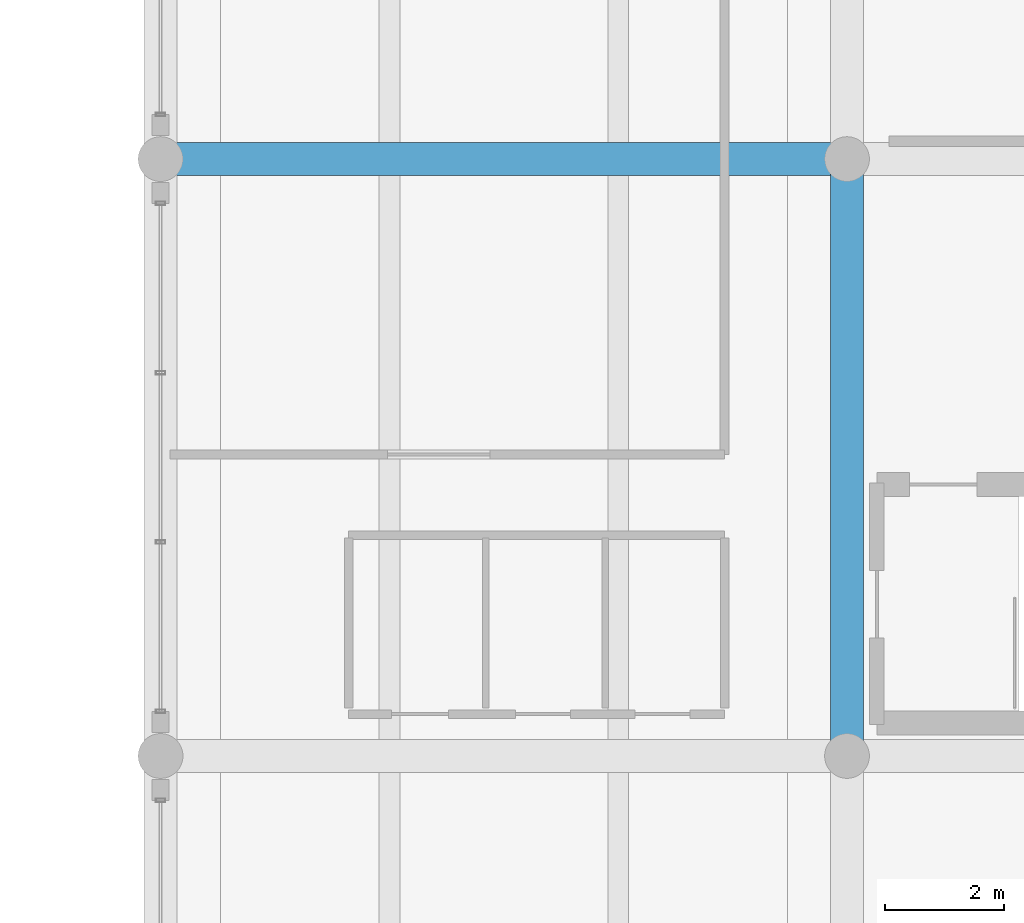
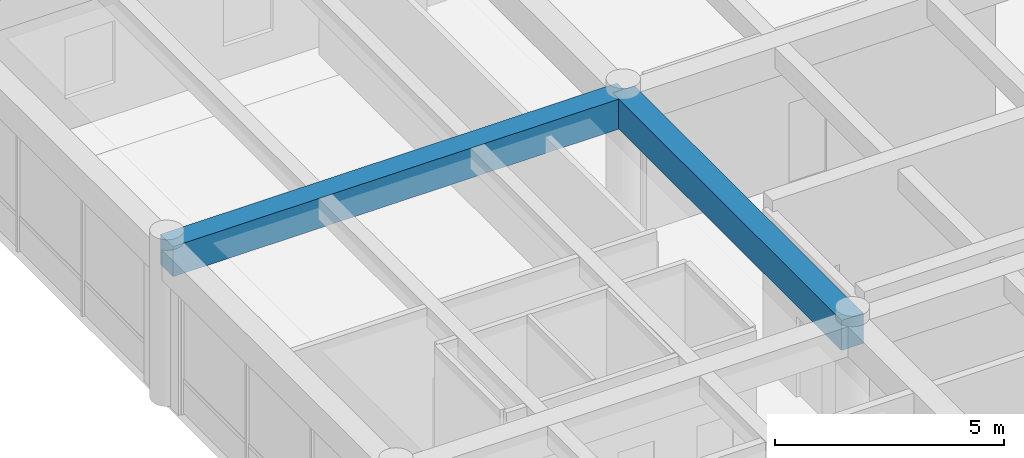
# One storey, part 7 of 27: 2 beams.
"""IFC4 building model written with IfcOpenShell, lengths in metres."""

from ifc_helpers import new_model, si_unit, direction, frame, origin, origin_2d, place, context, subcontext, project, spatial, rectangle, extrude, material, material_profile, profile_set, type_object, element, save


model = new_model("IFC4")

# Units and contexts
model_context = context("Model", 3, precision=1e-05, world=origin(), true_north=direction((0.0, 1.0)))
body_context = subcontext(model_context, "Body", "Model", "MODEL_VIEW")
ifc_project = project(units=[si_unit("LENGTHUNIT", "METRE"), si_unit("AREAUNIT", "SQUARE_METRE"), si_unit("VOLUMEUNIT", "CUBIC_METRE"), si_unit("PLANEANGLEUNIT", "RADIAN"), si_unit("MASSUNIT", "GRAM", prefix="KILO")], contexts=[model_context])

# Site, building, storey
site_placement = place(None, origin())
site = spatial("IfcSite", under=ifc_project, at=site_placement, CompositionType="ELEMENT")
building_placement = place(site_placement, origin())
building = spatial("IfcBuilding", under=site, at=building_placement, Name="Ologun Quay Terminus", CompositionType="ELEMENT")
storey_placement = place(building_placement, frame((0.0, 0.0, 22.4599609375)))
storey = spatial("IfcBuildingStorey", under=building, at=storey_placement, Name="L05", CompositionType="ELEMENT", Elevation=22.4599609375)

# Beams
ifc_material = material(Name="Concrete C40/50", Category="concrete")
ifc_material_profile = material_profile(ifc_material, rectangle(XDim=0.550048828125, YDim=0.800048828125, at=origin_2d()), Name="RC 550x800")
ifc_profile_set = profile_set([ifc_material_profile], Name="Concrete C40/50")
beam_type = type_object("IfcBeamType", Name="Courtyard Wing Primary Girder 550x800", PredefinedType="BEAM", material=ifc_profile_set)
beam_1_placement = place(storey_placement, frame((115.0, 104.800048828125, 3.760009765625), z_axis=(1.0, 0.0, 0.0), x_axis=(0.0, 1.0, 0.0)))
element("IfcBeam", 1, at=beam_1_placement, inside=storey, type_object=beam_type, Name="B4 Beam 11/J L05", PredefinedType="BEAM", context=body_context, shape_type="SweptSolid", body=[
    extrude(rectangle(XDim=0.550048828125, YDim=0.800048828125, at=origin_2d()), origin(), (0.0, 0.0, 1.0), 11.5),
])
beam_2_placement = place(storey_placement, frame((126.5, 94.800048828125, 3.760009765625), z_axis=(0.0, 1.0, 0.0), x_axis=(-1.0, 0.0, 0.0)))
element("IfcBeam", 2, at=beam_2_placement, inside=storey, type_object=beam_type, Name="B4 Beam 12/H L05", PredefinedType="BEAM", context=body_context, shape_type="SweptSolid", body=[
    extrude(rectangle(XDim=0.550048828125, YDim=0.800048828125, at=origin_2d()), origin(), (0.0, 0.0, 1.0), 10.0),
])

save(model, "model.ifc")
